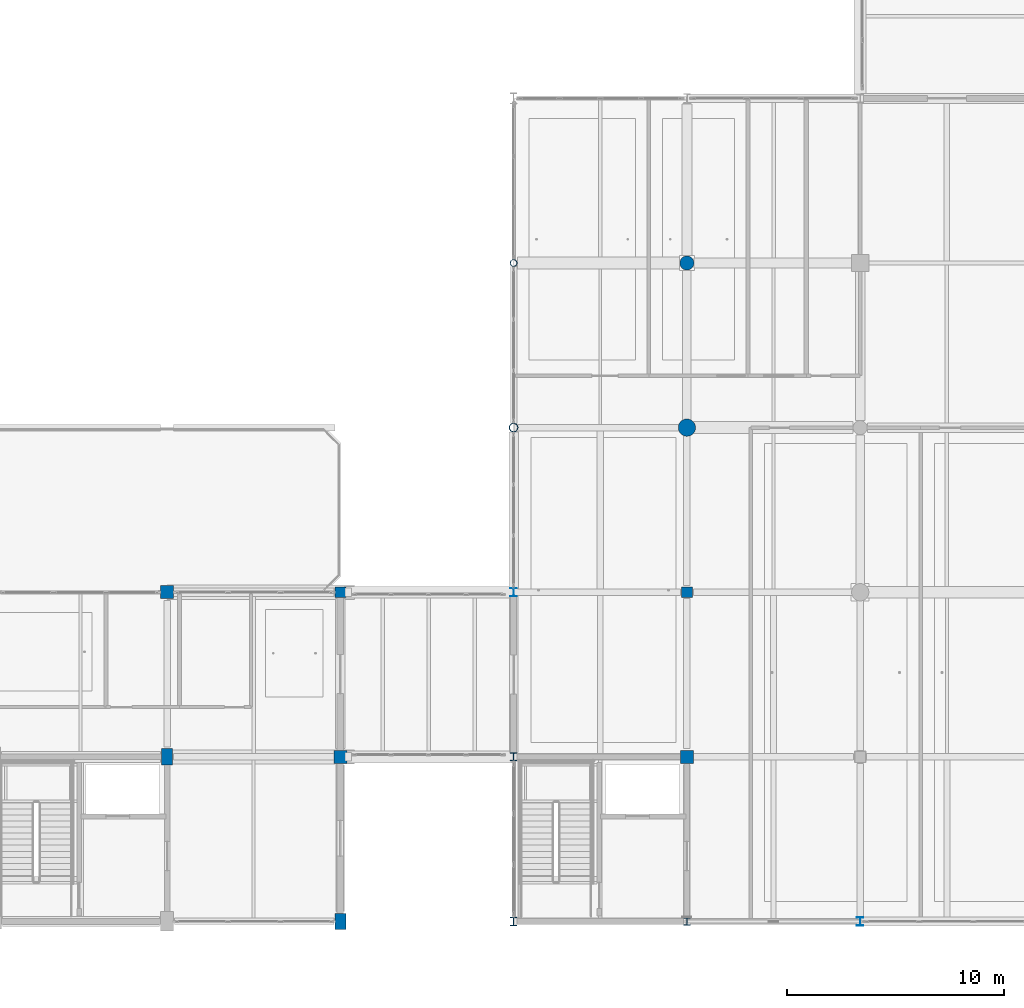
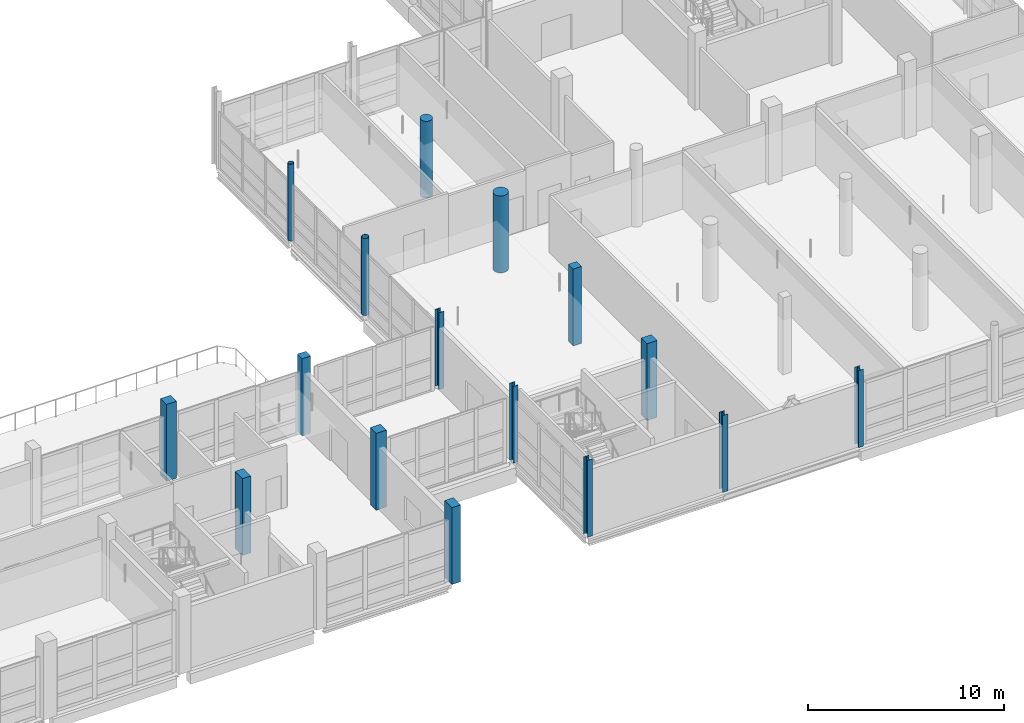
# One storey, part 6 of 147: 16 columns.
"""IFC4 building model written with IfcOpenShell, lengths in metres."""

from ifc_helpers import new_model, si_unit, direction, frame, origin, origin_2d, place, context, subcontext, project, spatial, rectangle, circle, hollow_circle, i_section, extrude, material, material_profile, profile_set, type_object, element, save


model = new_model("IFC4")

# Units and contexts
model_context = context("Model", 3, precision=1e-05, world=origin(), true_north=direction((0.0, 1.0)))
body_context = subcontext(model_context, "Body", "Model", "MODEL_VIEW")
ifc_project = project(units=[si_unit("LENGTHUNIT", "METRE"), si_unit("AREAUNIT", "SQUARE_METRE"), si_unit("VOLUMEUNIT", "CUBIC_METRE"), si_unit("PLANEANGLEUNIT", "RADIAN"), si_unit("MASSUNIT", "GRAM", prefix="KILO")], contexts=[model_context])

# Site, building, storey
site_placement = place(None, origin())
site = spatial("IfcSite", under=ifc_project, at=site_placement, CompositionType="ELEMENT")
building_placement = place(site_placement, origin())
building = spatial("IfcBuilding", under=site, at=building_placement, Name="Khelvaren Railside Concert Hall", CompositionType="ELEMENT")
storey_placement = place(building_placement, frame((0.0, 0.0, 5.39990234375)))
storey = spatial("IfcBuildingStorey", under=building, at=storey_placement, Name="L01", CompositionType="ELEMENT", Elevation=5.39990234375)

# Columns
ifc_material_1 = material(Name="Concrete C45/55", Category="concrete")
ifc_material_profile_1 = material_profile(ifc_material_1, rectangle(XDim=0.60009765625, YDim=0.60009765625, at=origin_2d()), Name="RC 600x600")
ifc_profile_set_1 = profile_set([ifc_material_profile_1], Name="Concrete C45/55")
column_type_1 = type_object("IfcColumnType", Name="COL11", PredefinedType="COLUMN", material=ifc_profile_set_1)
for number, where, z_axis, x_axis, name in (
    (1, (128.0, 15.199951171875, 0.0), (0.0, 0.0, 1.0), (1.0, 0.0, 0.0), "V3 L01 Column (128.0,15.2)"),
    (2, (136.0, 7.60009765625, 0.0), (0.0, 0.0, 1.0), (1.0, 0.0, 0.0), "V3 L01 Column (136.0,7.6)"),
):
    element("IfcColumn", number, at=place(storey_placement, frame(where, z_axis=z_axis, x_axis=x_axis)), inside=storey, type_object=column_type_1, Name=name, PredefinedType="COLUMN", context=body_context, shape_type="SweptSolid", body=[
        extrude(rectangle(XDim=0.60009765625, YDim=0.60009765625, at=origin_2d()), origin(), (0.0, 0.0, 1.0), 4.800048828125),
    ])
ifc_material_2 = material(Name="Steel S355", Category="steel")
ifc_material_profile_2 = material_profile(ifc_material_2, i_section(OverallWidth=0.300048828125, OverallDepth=0.360107421875, WebThickness=0.012451171875, FlangeThickness=0.0224609375, FilletRadius=0.027099609375, at=origin_2d()), Name="HEB 360")
ifc_profile_set_2 = profile_set([ifc_material_profile_2], Name="Steel S355")
column_type_2 = type_object("IfcColumnType", Name="COL12", PredefinedType="COLUMN", material=ifc_profile_set_2)
for number, where, z_axis, x_axis, name in (
    (3, (144.0, 7.60009765625, 0.0), (0.0, 0.0, 1.0), (1.0, 0.0, 0.0), "V2 L01 Column (144.0,7.6)"),
    (4, (152.0, 0.0, 0.0), (0.0, 0.0, 1.0), (1.0, 0.0, 0.0), "V2 L01 Column (152.0,0.0)"),
):
    element("IfcColumn", number, at=place(storey_placement, frame(where, z_axis=z_axis, x_axis=x_axis)), inside=storey, type_object=column_type_2, Name=name, PredefinedType="COLUMN", context=body_context, shape_type="SweptSolid", body=[
        extrude(i_section(OverallWidth=0.300048828125, OverallDepth=0.360107421875, WebThickness=0.012451171875, FlangeThickness=0.0224609375, FilletRadius=0.027099609375, at=origin_2d()), origin(), (0.0, 0.0, 1.0), 4.800048828125),
    ])
ifc_material_profile_3 = material_profile(ifc_material_1, circle(Radius=0.39990234375, at=origin_2d()), Name="RC D800")
ifc_profile_set_3 = profile_set([ifc_material_profile_3], Name="Concrete C45/55")
column_type_3 = type_object("IfcColumnType", Name="COL14", PredefinedType="COLUMN", material=ifc_profile_set_3)
column_1_placement = place(storey_placement, frame((152.0, 22.800048828125, 0.0), z_axis=(0.0, 0.0, 1.0), x_axis=(1.0, 0.0, 0.0)))
element("IfcColumn", 5, at=column_1_placement, inside=storey, type_object=column_type_3, Name="V2 L01 Column (152.0,22.8)", PredefinedType="COLUMN", context=body_context, shape_type="SweptSolid", body=[
    extrude(circle(Radius=0.39990234375, at=origin_2d()), origin(), (0.0, 0.0, 1.0), 4.800048828125),
])
ifc_material_profile_4 = material_profile(ifc_material_2, i_section(OverallWidth=0.300048828125, OverallDepth=0.389892578125, WebThickness=0.010986328125, FlangeThickness=0.01904296875, FilletRadius=0.027099609375, at=origin_2d()), Name="HEA 400")
ifc_profile_set_4 = profile_set([ifc_material_profile_4], Name="Steel S355")
column_type_4 = type_object("IfcColumnType", Name="COL23", PredefinedType="COLUMN", material=ifc_profile_set_4)
for number, where, z_axis, x_axis, name in (
    (6, (144.0, 15.199951171875, 0.0), (0.0, 0.0, 1.0), (1.0, 0.0, 0.0), "V2 L01 Column (144.0,15.2)"),
    (7, (160.0, 0.0, 0.0), (0.0, 0.0, 1.0), (1.0, 0.0, 0.0), "V2 L01 Column (160.0,0.0)"),
):
    element("IfcColumn", number, at=place(storey_placement, frame(where, z_axis=z_axis, x_axis=x_axis)), inside=storey, type_object=column_type_4, Name=name, PredefinedType="COLUMN", context=body_context, shape_type="SweptSolid", body=[
        extrude(i_section(OverallWidth=0.300048828125, OverallDepth=0.389892578125, WebThickness=0.010986328125, FlangeThickness=0.01904296875, FilletRadius=0.027099609375, at=origin_2d()), origin(), (0.0, 0.0, 1.0), 4.800048828125),
    ])
ifc_material_profile_5 = material_profile(ifc_material_2, hollow_circle(Radius=0.203125, WallThickness=0.02001953125, at=origin_2d()), Name="CHS 406.4x20")
ifc_profile_set_5 = profile_set([ifc_material_profile_5], Name="Steel S355")
column_type_5 = type_object("IfcColumnType", Name="COL27", PredefinedType="COLUMN", material=ifc_profile_set_5)
column_2_placement = place(storey_placement, frame((144.0, 22.800048828125, 0.0), z_axis=(0.0, 0.0, 1.0), x_axis=(1.0, 0.0, 0.0)))
element("IfcColumn", 8, at=column_2_placement, inside=storey, type_object=column_type_5, Name="V2 L01 Column (144.0,22.8)", PredefinedType="COLUMN", context=body_context, shape_type="SweptSolid", body=[
    extrude(hollow_circle(Radius=0.203125, WallThickness=0.02001953125, at=origin_2d()), origin(), (0.0, 0.0, 1.0), 4.800048828125),
])
ifc_material_profile_6 = material_profile(ifc_material_1, rectangle(XDim=0.60009765625, YDim=0.60009765625, at=origin_2d()), Name="RC 600x600")
ifc_profile_set_6 = profile_set([ifc_material_profile_6], Name="Concrete C45/55")
column_type_6 = type_object("IfcColumnType", Name="COL29", PredefinedType="COLUMN", material=ifc_profile_set_6)
column_3_placement = place(storey_placement, frame((152.0, 7.60009765625, 0.0), z_axis=(0.0, 0.0, 1.0), x_axis=(1.0, 0.0, 0.0)))
element("IfcColumn", 9, at=column_3_placement, inside=storey, type_object=column_type_6, Name="V2 L01 Column (152.0,7.6)", PredefinedType="COLUMN", context=body_context, shape_type="SweptSolid", body=[
    extrude(rectangle(XDim=0.60009765625, YDim=0.60009765625, at=origin_2d()), origin(), (0.0, 0.0, 1.0), 4.800048828125),
])
ifc_material_profile_7 = material_profile(ifc_material_1, rectangle(XDim=0.5, YDim=0.5, at=origin_2d()), Name="RC 500x500")
ifc_profile_set_7 = profile_set([ifc_material_profile_7], Name="Concrete C45/55")
column_type_7 = type_object("IfcColumnType", Name="COL35", PredefinedType="COLUMN", material=ifc_profile_set_7)
column_4_placement = place(storey_placement, frame((136.0, 15.199951171875, 0.0), z_axis=(0.0, 0.0, 1.0), x_axis=(1.0, 0.0, 0.0)))
element("IfcColumn", 10, at=column_4_placement, inside=storey, type_object=column_type_7, Name="V3 L01 Column (136.0,15.2)", PredefinedType="COLUMN", context=body_context, shape_type="SweptSolid", body=[
    extrude(rectangle(XDim=0.5, YDim=0.5, at=origin_2d()), origin(), (0.0, 0.0, 1.0), 4.800048828125),
])
ifc_material_profile_8 = material_profile(ifc_material_1, rectangle(XDim=0.5, YDim=0.75, at=origin_2d()), Name="RC 500x750")
ifc_profile_set_8 = profile_set([ifc_material_profile_8], Name="Concrete C45/55")
column_type_8 = type_object("IfcColumnType", Name="COL36", PredefinedType="COLUMN", material=ifc_profile_set_8)
column_5_placement = place(storey_placement, frame((128.0, 7.60009765625, 0.0), z_axis=(0.0, 0.0, 1.0), x_axis=(1.0, 0.0, 0.0)))
element("IfcColumn", 11, at=column_5_placement, inside=storey, type_object=column_type_8, Name="V3 L01 Column (128.0,7.6)", PredefinedType="COLUMN", context=body_context, shape_type="SweptSolid", body=[
    extrude(rectangle(XDim=0.5, YDim=0.75, at=origin_2d()), origin(), (0.0, 0.0, 1.0), 4.800048828125),
])
ifc_material_profile_9 = material_profile(ifc_material_2, hollow_circle(Radius=0.161865234375, WallThickness=0.01611328125, at=origin_2d()), Name="CHS 323.9x16")
ifc_profile_set_9 = profile_set([ifc_material_profile_9], Name="Steel S355")
column_type_9 = type_object("IfcColumnType", Name="COL47", PredefinedType="COLUMN", material=ifc_profile_set_9)
column_6_placement = place(storey_placement, frame((144.0, 30.39990234375, 0.0), z_axis=(0.0, 0.0, 1.0), x_axis=(1.0, 0.0, 0.0)))
element("IfcColumn", 12, at=column_6_placement, inside=storey, type_object=column_type_9, Name="V2 L01 Column (144.0,30.4)", PredefinedType="COLUMN", context=body_context, shape_type="SweptSolid", body=[
    extrude(hollow_circle(Radius=0.161865234375, WallThickness=0.01611328125, at=origin_2d()), origin(), (0.0, 0.0, 1.0), 4.800048828125),
])
ifc_material_profile_10 = material_profile(ifc_material_1, rectangle(XDim=0.5, YDim=0.5, at=origin_2d()), Name="RC 500x500")
ifc_profile_set_10 = profile_set([ifc_material_profile_10], Name="Concrete C45/55")
column_type_10 = type_object("IfcColumnType", Name="COL84", PredefinedType="COLUMN", material=ifc_profile_set_10)
column_7_placement = place(storey_placement, frame((152.0, 15.199951171875, 0.0), z_axis=(0.0, 0.0, 1.0), x_axis=(1.0, 0.0, 0.0)))
element("IfcColumn", 13, at=column_7_placement, inside=storey, type_object=column_type_10, Name="V2 L01 Column (152.0,15.2)", PredefinedType="COLUMN", context=body_context, shape_type="SweptSolid", body=[
    extrude(rectangle(XDim=0.5, YDim=0.5, at=origin_2d()), origin(), (0.0, 0.0, 1.0), 4.800048828125),
])
ifc_material_profile_11 = material_profile(ifc_material_2, i_section(OverallWidth=0.300048828125, OverallDepth=0.39990234375, WebThickness=0.013427734375, FlangeThickness=0.02392578125, FilletRadius=0.027099609375, at=origin_2d()), Name="HEB 400")
ifc_profile_set_11 = profile_set([ifc_material_profile_11], Name="Steel S355")
column_type_11 = type_object("IfcColumnType", Name="COL88", PredefinedType="COLUMN", material=ifc_profile_set_11)
column_8_placement = place(storey_placement, frame((144.0, 0.0, 0.0), z_axis=(0.0, 0.0, 1.0), x_axis=(1.0, 0.0, 0.0)))
element("IfcColumn", 14, at=column_8_placement, inside=storey, type_object=column_type_11, Name="V2 L01 Column (144.0,0.0)", PredefinedType="COLUMN", context=body_context, shape_type="SweptSolid", body=[
    extrude(i_section(OverallWidth=0.300048828125, OverallDepth=0.39990234375, WebThickness=0.013427734375, FlangeThickness=0.02392578125, FilletRadius=0.027099609375, at=origin_2d()), origin(), (0.0, 0.0, 1.0), 4.800048828125),
])
ifc_material_profile_12 = material_profile(ifc_material_1, circle(Radius=0.324951171875, at=origin_2d()), Name="RC D650")
ifc_profile_set_12 = profile_set([ifc_material_profile_12], Name="Concrete C45/55")
column_type_12 = type_object("IfcColumnType", Name="COL94", PredefinedType="COLUMN", material=ifc_profile_set_12)
column_9_placement = place(storey_placement, frame((152.0, 30.39990234375, 0.0), z_axis=(0.0, 0.0, 1.0), x_axis=(1.0, 0.0, 0.0)))
element("IfcColumn", 15, at=column_9_placement, inside=storey, type_object=column_type_12, Name="V2 L01 Column (152.0,30.4)", PredefinedType="COLUMN", context=body_context, shape_type="SweptSolid", body=[
    extrude(circle(Radius=0.324951171875, at=origin_2d()), origin(), (0.0, 0.0, 1.0), 4.800048828125),
])
ifc_material_profile_13 = material_profile(ifc_material_1, rectangle(XDim=0.5, YDim=0.75, at=origin_2d()), Name="RC 500x750")
ifc_profile_set_13 = profile_set([ifc_material_profile_13], Name="Concrete C45/55")
column_type_13 = type_object("IfcColumnType", Name="COL97", PredefinedType="COLUMN", material=ifc_profile_set_13)
column_10_placement = place(storey_placement, frame((136.0, 0.0, 0.0), z_axis=(0.0, 0.0, 1.0), x_axis=(1.0, 0.0, 0.0)))
element("IfcColumn", 16, at=column_10_placement, inside=storey, type_object=column_type_13, Name="V3 L01 Column (136.0,0.0)", PredefinedType="COLUMN", context=body_context, shape_type="SweptSolid", body=[
    extrude(rectangle(XDim=0.5, YDim=0.75, at=origin_2d()), origin(), (0.0, 0.0, 1.0), 4.800048828125),
])

save(model, "model.ifc")
